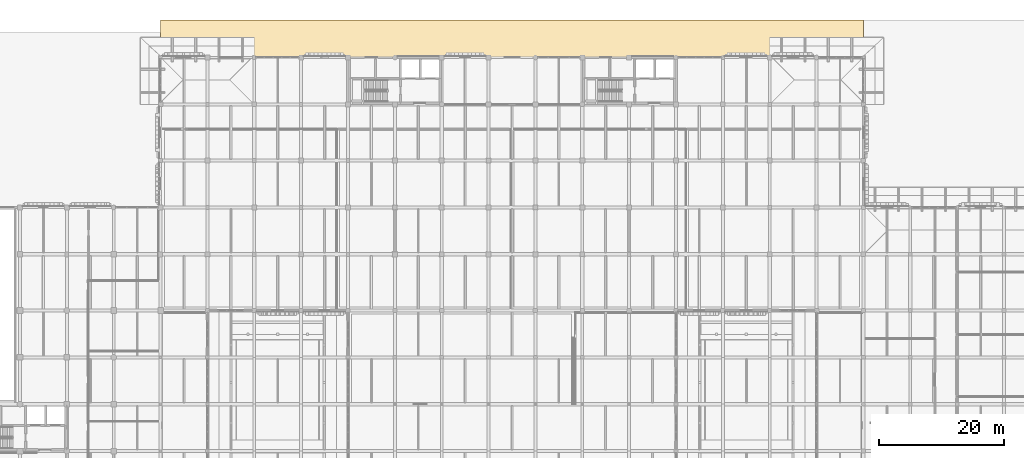
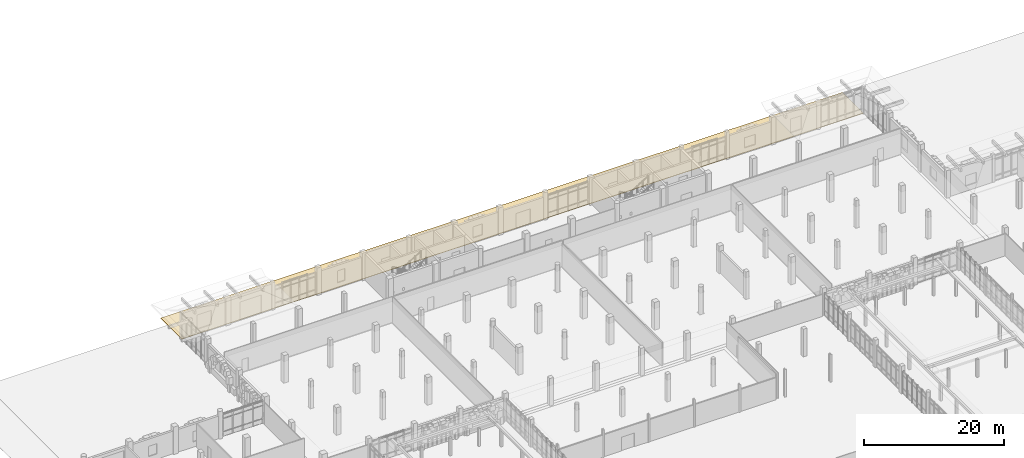
# One storey, part 116 of 125: 1 covering.
"""IFC4 building model written with IfcOpenShell, lengths in metres."""

from ifc_helpers import new_model, si_unit, direction, frame, origin, place, context, subcontext, project, spatial, polyline, outline, extrude, material, layer, layer_set, type_object, element, save


model = new_model("IFC4")

# Units and contexts
model_context = context("Model", 3, precision=1e-05, world=origin(), true_north=direction((0.0, 1.0)))
body_context = subcontext(model_context, "Body", "Model", "MODEL_VIEW")
ifc_project = project(units=[si_unit("LENGTHUNIT", "METRE"), si_unit("AREAUNIT", "SQUARE_METRE"), si_unit("VOLUMEUNIT", "CUBIC_METRE"), si_unit("PLANEANGLEUNIT", "RADIAN"), si_unit("MASSUNIT", "GRAM", prefix="KILO")], contexts=[model_context])

# Site, building, storey
site_placement = place(None, origin())
site = spatial("IfcSite", under=ifc_project, at=site_placement, CompositionType="ELEMENT")
building_placement = place(site_placement, origin())
building = spatial("IfcBuilding", under=site, at=building_placement, Name="Dalvernix Boulevard General Hospital", CompositionType="ELEMENT")
storey_placement = place(building_placement, origin())
storey = spatial("IfcBuildingStorey", under=building, at=storey_placement, Name="L00", CompositionType="ELEMENT", Elevation=0.0)

# Covering
ifc_material = material(Name="Permeable granite and clay boulevard paving", Category="masonry")
ifc_layer = layer(ifc_material, 0.080078125)
ifc_layer_set = layer_set([ifc_layer], Name="Permeable granite and clay boulevard paving (COV-PAV-01)")
covering_type = type_object("IfcCoveringType", Name="COV-PAV-01", PredefinedType="USERDEFINED", material=ifc_layer_set)
covering_placement = place(storey_placement, frame((0.0, 0.0, -0.080078125)))
element("IfcCovering", 1, at=covering_placement, inside=storey, type_object=covering_type, Name="Exterior grade paving NORTH-RD", ObjectType="PAVING", PredefinedType="USERDEFINED", context=body_context, shape_type="SweptSolid", body=[
    extrude(outline(polyline([(30.0, 117.0), (142.5, 117.0), (142.5, 123.0), (30.0, 123.0), (30.0, 117.0)])), origin(), (0.0, 0.0, 1.0), 0.080078125),
])

save(model, "model.ifc")
